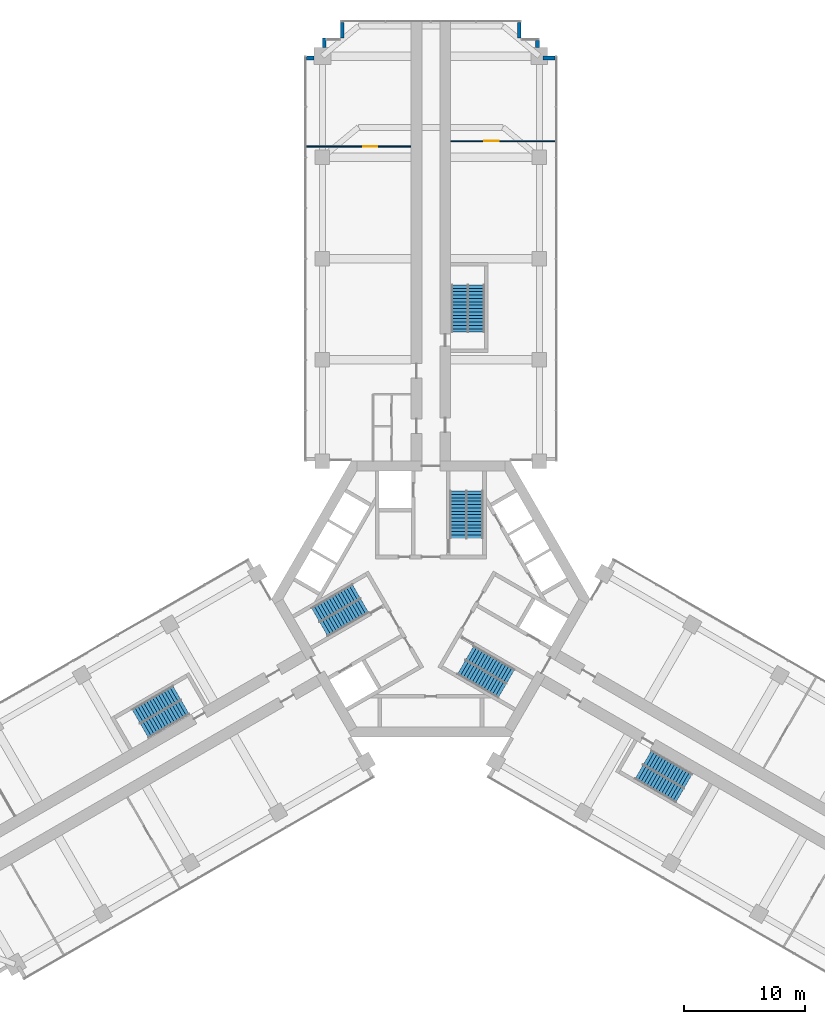
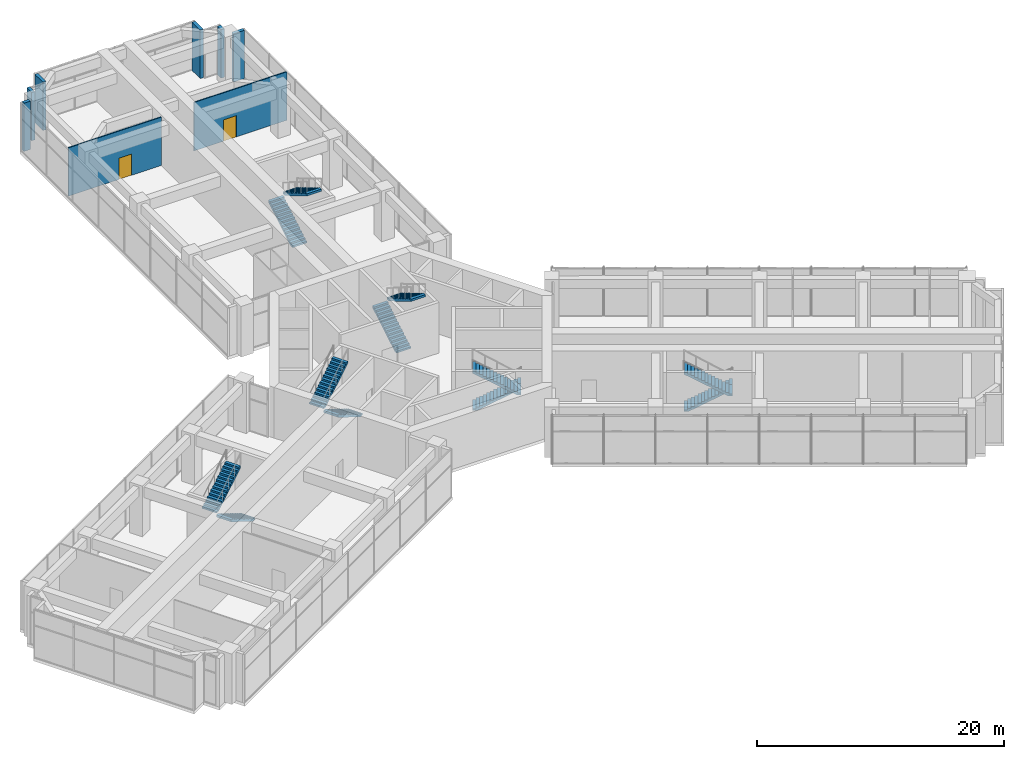
# One storey, part 19 of 20: 12 stair flights, 8 walls, 2 doors, 2 openings, 6 elements without a shape of their own.
"""IFC4 building model written with IfcOpenShell, lengths in metres."""

from ifc_helpers import new_model, si_unit, direction, frame, frame_2d, origin, place, context, subcontext, project, spatial, polyline, rectangle, outline, extrude, material, layer, layer_set, type_object, element, fill, aggregate, save


model = new_model("IFC4")

# Units and contexts
model_context = context("Model", 3, precision=1e-05, world=origin(), true_north=direction((0.0, 1.0)))
body_context = subcontext(model_context, "Body", "Model", "MODEL_VIEW")
ifc_project = project(units=[si_unit("LENGTHUNIT", "METRE"), si_unit("AREAUNIT", "SQUARE_METRE"), si_unit("VOLUMEUNIT", "CUBIC_METRE"), si_unit("PLANEANGLEUNIT", "RADIAN"), si_unit("MASSUNIT", "GRAM", prefix="KILO")], contexts=[model_context])

# Site, building, storey
site_placement = place(None, origin())
site = spatial("IfcSite", under=ifc_project, at=site_placement, CompositionType="ELEMENT")
building_placement = place(site_placement, origin())
building = spatial("IfcBuilding", under=site, at=building_placement, Name="Impinga Residences", CompositionType="ELEMENT")
storey_placement = place(building_placement, frame((0.0, 0.0, 101.0)))
storey = spatial("IfcBuildingStorey", under=building, at=storey_placement, Name="L24", CompositionType="ELEMENT", Elevation=101.0)

# Wall, opening, door
ifc_material_1 = material(Name="Concrete blockwork", Category="masonry")
ifc_layer_1 = layer(ifc_material_1, 0.10009765625)
ifc_layer_set_1 = layer_set([ifc_layer_1], Name="CP1 core room partition, blockwork 100")
wall_type_1 = type_object("IfcWallType", Name="CP1 core room partition, blockwork 100", PredefinedType="PARTITIONING", material=ifc_layer_set_1)
wall_1_placement = place(storey_placement, frame((-1.64990234375, 37.531494140625, 0.0), z_axis=(0.0, 0.0, 1.0), x_axis=(-1.0, 0.0, 0.0)))
wall_1 = element("IfcWall", 1, at=wall_1_placement, inside=storey, type_object=wall_type_1, Name="Core room partition, blockwork L24-NA1:PS1", PredefinedType="PARTITIONING", context=body_context, shape_type="SweptSolid", body=[
    extrude(rectangle(XDim=8.68701171875, YDim=0.10009765625, at=frame_2d((4.343505859375, 0.0))), origin(), (0.0, 0.0, 1.0), 4.780029296875),
])
opening_1_placement = place(wall_1_placement, frame((2.77490234375, 0.0, 0.0)))
opening_1 = element("IfcOpeningElement", 2, at=opening_1_placement, cuts=wall_1, Name="Opening D3", PredefinedType="OPENING", context=body_context, shape_type="SweptSolid", body=[
    extrude(rectangle(XDim=1.199951171875, YDim=2.10009765625, at=frame_2d((0.60009765625, 1.050048828125))), frame((0.0, 0.06005859375, 0.0), z_axis=(0.0, -1.0, 0.0), x_axis=(1.0, 0.0, 0.0)), (0.0, 0.0, 1.0), 0.1201171875),
])
ifc_material_2 = material(Name="Timber door set", Category="wood")
door_type = type_object("IfcDoorType", Name="D3 room door, leaf and a half 1200x2100", OperationType="DOUBLE_SWING_LEFT", PredefinedType="DOOR", material=ifc_material_2)
door_1_placement = place(opening_1_placement, origin())
door_1 = element("IfcDoor", 3, at=door_1_placement, inside=storey, type_object=door_type, Name="Lounge store door L24-NA1", OperationType="DOUBLE_SWING_LEFT", OverallHeight=2.10009765625, OverallWidth=1.199951171875, PredefinedType="DOOR", context=body_context, shape_type="SweptSolid", body=[
    extrude(rectangle(XDim=1.199951171875, YDim=2.10009765625, at=frame_2d((0.60009765625, 1.050048828125))), frame((0.0, 0.02490234375, 0.0), z_axis=(0.0, -1.0, 0.0), x_axis=(1.0, 0.0, 0.0)), (0.0, 0.0, 1.0), 0.050048828125),
])
fill(opening_1, door_1)

wall_2_placement = place(storey_placement, frame((1.64990234375, 37.9814453125, 0.0), z_axis=(0.0, 0.0, 1.0), x_axis=(1.0, 0.0, 0.0)))
wall_2 = element("IfcWall", 4, at=wall_2_placement, inside=storey, type_object=wall_type_1, Name="Core room partition, blockwork L24-NF1:PS1", PredefinedType="PARTITIONING", context=body_context, shape_type="SweptSolid", body=[
    extrude(rectangle(XDim=8.68701171875, YDim=0.10009765625, at=frame_2d((4.343505859375, 0.0))), origin(), (0.0, 0.0, 1.0), 4.780029296875),
])
opening_2_placement = place(wall_2_placement, frame((2.77490234375, 0.0, 0.0)))
opening_2 = element("IfcOpeningElement", 5, at=opening_2_placement, cuts=wall_2, Name="Opening D3", PredefinedType="OPENING", context=body_context, shape_type="SweptSolid", body=[
    extrude(rectangle(XDim=1.199951171875, YDim=2.10009765625, at=frame_2d((0.60009765625, 1.050048828125))), frame((0.0, 0.06005859375, 0.0), z_axis=(0.0, -1.0, 0.0), x_axis=(1.0, 0.0, 0.0)), (0.0, 0.0, 1.0), 0.1201171875),
])
door_2_placement = place(opening_2_placement, origin())
door_2 = element("IfcDoor", 6, at=door_2_placement, inside=storey, type_object=door_type, Name="Reading room door L24-NF1", OperationType="DOUBLE_SWING_LEFT", OverallHeight=2.10009765625, OverallWidth=1.199951171875, PredefinedType="DOOR", context=body_context, shape_type="SweptSolid", body=[
    extrude(rectangle(XDim=1.199951171875, YDim=2.10009765625, at=frame_2d((0.60009765625, 1.050048828125))), frame((0.0, 0.02490234375, 0.0), z_axis=(0.0, -1.0, 0.0), x_axis=(1.0, 0.0, 0.0)), (0.0, 0.0, 1.0), 0.050048828125),
])
fill(opening_2, door_2)

# Walls
ifc_material_3 = material(Name="Stone facing on blockwork", Category="masonry")
ifc_layer_2 = layer(ifc_material_3, 0.300048828125)
ifc_layer_set_2 = layer_set([ifc_layer_2], Name="EW2 external wall, stone facing on blockwork 300")
wall_type_2 = type_object("IfcWallType", Name="EW2 external wall, stone facing on blockwork 300", PredefinedType="SOLIDWALL", material=ifc_layer_set_2)
wall_3_placement = place(storey_placement, frame((-10.304931640625, 44.881591796875, 0.0), z_axis=(0.0, 0.0, 1.0), x_axis=(1.0, 0.0, 0.0)))
element("IfcWall", 7, at=wall_3_placement, inside=storey, type_object=wall_type_2, Name="External wall EW2 L24", PredefinedType="SOLIDWALL", context=body_context, shape_type="SweptSolid", body=[
    extrude(rectangle(XDim=0.60205078125, YDim=0.300048828125, at=frame_2d((0.301025390625, 0.0))), origin(), (0.0, 0.0, 1.0), 4.780029296875),
])
wall_4_placement = place(storey_placement, frame((-8.85009765625, 45.734619140625, 0.0), z_axis=(0.0, 0.0, 1.0), x_axis=(0.0, 1.0, 0.0)))
element("IfcWall", 8, at=wall_4_placement, inside=storey, type_object=wall_type_2, Name="External wall EW2 L24", PredefinedType="SOLIDWALL", context=body_context, shape_type="SweptSolid", body=[
    extrude(rectangle(XDim=0.796875, YDim=0.300048828125, at=frame_2d((0.3984375, 0.0))), origin(), (0.0, 0.0, 1.0), 4.780029296875),
])
for number, where, z_axis, x_axis, name in (
    (9, (-7.35009765625, 46.526611328125, 0.0), (0.0, 0.0, 1.0), (0.0, 1.0, 0.0), "External wall EW2 L24"),
    (10, (7.35009765625, 47.83642578125, 0.0), (0.0, 0.0, 1.0), (0.0, -1.0, 0.0), "External wall EW2 L24"),
):
    element("IfcWall", number, at=place(storey_placement, frame(where, z_axis=z_axis, x_axis=x_axis)), inside=storey, type_object=wall_type_2, Name=name, PredefinedType="SOLIDWALL", context=body_context, shape_type="SweptSolid", body=[
        extrude(rectangle(XDim=1.309814453125, YDim=0.300048828125, at=frame_2d((0.65478515625, 0.0))), origin(), (0.0, 0.0, 1.0), 4.780029296875),
    ])
wall_5_placement = place(storey_placement, frame((8.85009765625, 46.33642578125, 0.0), z_axis=(0.0, 0.0, 1.0), x_axis=(0.0, -1.0, 0.0)))
element("IfcWall", 11, at=wall_5_placement, inside=storey, type_object=wall_type_2, Name="External wall EW2 L24", PredefinedType="SOLIDWALL", context=body_context, shape_type="SweptSolid", body=[
    extrude(rectangle(XDim=0.601806640625, YDim=0.300048828125, at=frame_2d((0.30078125, 0.0))), origin(), (0.0, 0.0, 1.0), 4.780029296875),
])
wall_6_placement = place(storey_placement, frame((9.300048828125, 44.881591796875, 0.0), z_axis=(0.0, 0.0, 1.0), x_axis=(1.0, 0.0, 0.0)))
element("IfcWall", 12, at=wall_6_placement, inside=storey, type_object=wall_type_2, Name="External wall EW2 L24", PredefinedType="SOLIDWALL", context=body_context, shape_type="SweptSolid", body=[
    extrude(rectangle(XDim=1.0048828125, YDim=0.300048828125, at=frame_2d((0.50244140625, 0.0))), origin(), (0.0, 0.0, 1.0), 4.780029296875),
])

# Stair, stair flights
ifc_material_4 = material(Name="Concrete C40/50", Category="concrete")
stair_type_1 = type_object("IfcStairType", Name="STR core stair 5000 storey, 30 risers", PredefinedType="HALF_TURN_STAIR", material=ifc_material_4)
stair_1_placement = place(storey_placement, origin())
stair_1 = element("IfcStair", 13, at=stair_1_placement, inside=storey, type_object=stair_type_1, Name="Stair ST1 L24", PredefinedType="HALF_TURN_STAIR")
stair_flight_type = type_object("IfcStairFlightType", Name="SF 15 risers of 167", PredefinedType="STRAIGHT", material=ifc_material_4)
stair_flight_1_placement = place(storey_placement, frame((2.27490234375, 5.030029296875, 0.0), z_axis=(0.0, 0.0, 1.0), x_axis=(0.0, 1.0, 0.0)))
stair_flight_1 = element("IfcStairFlight", 14, at=stair_flight_1_placement, type_object=stair_flight_type, Name="ST1 flight 1", NumberOfRisers=15, NumberOfTreads=14, PredefinedType="STRAIGHT", RiserHeight=0.166666667, TreadLength=0.28, context=body_context, shape_type="SweptSolid", body=[
    extrude(outline(polyline([(0.0, 0.0), (0.0, 0.166748046875), (0.280029296875, 0.166748046875), (0.280029296875, 0.333251953125), (0.56005859375, 0.333251953125), (0.56005859375, 0.5), (0.840087890625, 0.5), (0.840087890625, 0.666748046875), (1.1201171875, 0.666748046875), (1.1201171875, 0.833251953125), (1.39990234375, 0.833251953125), (1.39990234375, 1.0), (1.679931640625, 1.0), (1.679931640625, 1.166748046875), (1.9599609375, 1.166748046875), (1.9599609375, 1.333251953125), (2.239990234375, 1.333251953125), (2.239990234375, 1.5), (2.52001953125, 1.5), (2.52001953125, 1.666748046875), (2.800048828125, 1.666748046875), (2.800048828125, 1.833251953125), (3.080078125, 1.833251953125), (3.080078125, 2.0), (3.360107421875, 2.0), (3.360107421875, 2.166748046875), (3.639892578125, 2.166748046875), (3.639892578125, 2.333251953125), (3.919921875, 2.333251953125), (3.919921875, 2.5), (3.919921875, 2.1240234375), (0.351806640625, 0.0), (0.0, 0.0)])), frame((0.0, 0.675048828125, 0.0), z_axis=(0.0, -1.0, 0.0), x_axis=(1.0, 0.0, 0.0)), (0.0, 0.0, 1.0), 1.35009765625),
])
stair_flight_2_placement = place(storey_placement, frame((3.625, 8.949951171875, 2.5), z_axis=(0.0, 0.0, 1.0), x_axis=(0.0, -1.0, 0.0)))
stair_flight_2 = element("IfcStairFlight", 15, at=stair_flight_2_placement, type_object=stair_flight_type, Name="ST1 flight 2", NumberOfRisers=15, NumberOfTreads=14, PredefinedType="STRAIGHT", RiserHeight=0.166666667, TreadLength=0.28, context=body_context, shape_type="SweptSolid", body=[
    extrude(outline(polyline([(0.0, 0.0), (0.0, 0.166748046875), (0.280029296875, 0.166748046875), (0.280029296875, 0.333251953125), (0.56005859375, 0.333251953125), (0.56005859375, 0.5), (0.840087890625, 0.5), (0.840087890625, 0.666748046875), (1.1201171875, 0.666748046875), (1.1201171875, 0.833251953125), (1.39990234375, 0.833251953125), (1.39990234375, 1.0), (1.679931640625, 1.0), (1.679931640625, 1.166748046875), (1.9599609375, 1.166748046875), (1.9599609375, 1.333251953125), (2.239990234375, 1.333251953125), (2.239990234375, 1.5), (2.52001953125, 1.5), (2.52001953125, 1.666748046875), (2.800048828125, 1.666748046875), (2.800048828125, 1.833251953125), (3.080078125, 1.833251953125), (3.080078125, 2.0), (3.360107421875, 2.0), (3.360107421875, 2.166748046875), (3.639892578125, 2.166748046875), (3.639892578125, 2.333251953125), (3.919921875, 2.333251953125), (3.919921875, 2.5), (3.919921875, 2.1240234375), (0.351806640625, 0.0), (0.0, 0.0)])), frame((0.0, 0.675048828125, 0.0), z_axis=(0.0, -1.0, 0.0), x_axis=(1.0, 0.0, 0.0)), (0.0, 0.0, 1.0), 1.35009765625),
])
aggregate(stair_1, [stair_flight_1, stair_flight_2])

stair_2_placement = place(storey_placement, origin())
stair_2 = element("IfcStair", 16, at=stair_2_placement, inside=storey, type_object=stair_type_1, Name="Stair ST2 L24", PredefinedType="HALF_TURN_STAIR")
stair_flight_3_placement = place(storey_placement, frame((-5.49365234375, -0.544677734375, 0.0), z_axis=(0.0, 0.0, 1.0), x_axis=(-0.866025403784, -0.5, 0.0)))
stair_flight_3 = element("IfcStairFlight", 17, at=stair_flight_3_placement, type_object=stair_flight_type, Name="ST2 flight 1", NumberOfRisers=15, NumberOfTreads=14, PredefinedType="STRAIGHT", RiserHeight=0.166666667, TreadLength=0.28, context=body_context, shape_type="SweptSolid", body=[
    extrude(outline(polyline([(0.0, 0.0), (0.0, 0.166748046875), (0.280029296875, 0.166748046875), (0.280029296875, 0.333251953125), (0.56005859375, 0.333251953125), (0.56005859375, 0.5), (0.840087890625, 0.5), (0.840087890625, 0.666748046875), (1.1201171875, 0.666748046875), (1.1201171875, 0.833251953125), (1.39990234375, 0.833251953125), (1.39990234375, 1.0), (1.679931640625, 1.0), (1.679931640625, 1.166748046875), (1.9599609375, 1.166748046875), (1.9599609375, 1.333251953125), (2.239990234375, 1.333251953125), (2.239990234375, 1.5), (2.52001953125, 1.5), (2.52001953125, 1.666748046875), (2.800048828125, 1.666748046875), (2.800048828125, 1.833251953125), (3.080078125, 1.833251953125), (3.080078125, 2.0), (3.360107421875, 2.0), (3.360107421875, 2.166748046875), (3.639892578125, 2.166748046875), (3.639892578125, 2.333251953125), (3.919921875, 2.333251953125), (3.919921875, 2.5), (3.919921875, 2.1240234375), (0.351806640625, 0.0), (0.0, 0.0)])), frame((0.0, 0.675048828125, 0.0), z_axis=(0.0, -1.0, 0.0), x_axis=(1.0, 0.0, 0.0)), (0.0, 0.0, 1.0), 1.35009765625),
])
stair_flight_4_placement = place(storey_placement, frame((-9.5634765625, -1.335693359375, 2.5), z_axis=(0.0, 0.0, 1.0), x_axis=(0.866025403784, 0.5, 0.0)))
stair_flight_4 = element("IfcStairFlight", 18, at=stair_flight_4_placement, type_object=stair_flight_type, Name="ST2 flight 2", NumberOfRisers=15, NumberOfTreads=14, PredefinedType="STRAIGHT", RiserHeight=0.166666667, TreadLength=0.28, context=body_context, shape_type="SweptSolid", body=[
    extrude(outline(polyline([(0.0, 0.0), (0.0, 0.166748046875), (0.280029296875, 0.166748046875), (0.280029296875, 0.333251953125), (0.56005859375, 0.333251953125), (0.56005859375, 0.5), (0.840087890625, 0.5), (0.840087890625, 0.666748046875), (1.1201171875, 0.666748046875), (1.1201171875, 0.833251953125), (1.39990234375, 0.833251953125), (1.39990234375, 1.0), (1.679931640625, 1.0), (1.679931640625, 1.166748046875), (1.9599609375, 1.166748046875), (1.9599609375, 1.333251953125), (2.239990234375, 1.333251953125), (2.239990234375, 1.5), (2.52001953125, 1.5), (2.52001953125, 1.666748046875), (2.800048828125, 1.666748046875), (2.800048828125, 1.833251953125), (3.080078125, 1.833251953125), (3.080078125, 2.0), (3.360107421875, 2.0), (3.360107421875, 2.166748046875), (3.639892578125, 2.166748046875), (3.639892578125, 2.333251953125), (3.919921875, 2.333251953125), (3.919921875, 2.5), (3.919921875, 2.1240234375), (0.351806640625, 0.0), (0.0, 0.0)])), frame((0.0, 0.675048828125, 0.0), z_axis=(0.0, -1.0, 0.0), x_axis=(1.0, 0.0, 0.0)), (0.0, 0.0, 1.0), 1.35009765625),
])
aggregate(stair_2, [stair_flight_3, stair_flight_4])

stair_3_placement = place(storey_placement, origin())
stair_3 = element("IfcStair", 19, at=stair_3_placement, inside=storey, type_object=stair_type_1, Name="Stair ST3 L24", PredefinedType="HALF_TURN_STAIR")
stair_flight_5_placement = place(storey_placement, frame((3.218505859375, -4.485107421875, 0.0), z_axis=(0.0, 0.0, 1.0), x_axis=(0.866025403784, -0.5, 0.0)))
stair_flight_5 = element("IfcStairFlight", 20, at=stair_flight_5_placement, type_object=stair_flight_type, Name="ST3 flight 1", NumberOfRisers=15, NumberOfTreads=14, PredefinedType="STRAIGHT", RiserHeight=0.166666667, TreadLength=0.28, context=body_context, shape_type="SweptSolid", body=[
    extrude(outline(polyline([(0.0, 0.0), (0.0, 0.166748046875), (0.280029296875, 0.166748046875), (0.280029296875, 0.333251953125), (0.56005859375, 0.333251953125), (0.56005859375, 0.5), (0.840087890625, 0.5), (0.840087890625, 0.666748046875), (1.1201171875, 0.666748046875), (1.1201171875, 0.833251953125), (1.39990234375, 0.833251953125), (1.39990234375, 1.0), (1.679931640625, 1.0), (1.679931640625, 1.166748046875), (1.9599609375, 1.166748046875), (1.9599609375, 1.333251953125), (2.239990234375, 1.333251953125), (2.239990234375, 1.5), (2.52001953125, 1.5), (2.52001953125, 1.666748046875), (2.800048828125, 1.666748046875), (2.800048828125, 1.833251953125), (3.080078125, 1.833251953125), (3.080078125, 2.0), (3.360107421875, 2.0), (3.360107421875, 2.166748046875), (3.639892578125, 2.166748046875), (3.639892578125, 2.333251953125), (3.919921875, 2.333251953125), (3.919921875, 2.5), (3.919921875, 2.1240234375), (0.351806640625, 0.0), (0.0, 0.0)])), frame((0.0, 0.675048828125, 0.0), z_axis=(0.0, -1.0, 0.0), x_axis=(1.0, 0.0, 0.0)), (0.0, 0.0, 1.0), 1.35009765625),
])
stair_flight_6_placement = place(storey_placement, frame((5.9384765625, -7.6142578125, 2.5), z_axis=(0.0, 0.0, 1.0), x_axis=(-0.866025403784, 0.5, 0.0)))
stair_flight_6 = element("IfcStairFlight", 21, at=stair_flight_6_placement, type_object=stair_flight_type, Name="ST3 flight 2", NumberOfRisers=15, NumberOfTreads=14, PredefinedType="STRAIGHT", RiserHeight=0.166666667, TreadLength=0.28, context=body_context, shape_type="SweptSolid", body=[
    extrude(outline(polyline([(0.0, 0.0), (0.0, 0.166748046875), (0.280029296875, 0.166748046875), (0.280029296875, 0.333251953125), (0.56005859375, 0.333251953125), (0.56005859375, 0.5), (0.840087890625, 0.5), (0.840087890625, 0.666748046875), (1.1201171875, 0.666748046875), (1.1201171875, 0.833251953125), (1.39990234375, 0.833251953125), (1.39990234375, 1.0), (1.679931640625, 1.0), (1.679931640625, 1.166748046875), (1.9599609375, 1.166748046875), (1.9599609375, 1.333251953125), (2.239990234375, 1.333251953125), (2.239990234375, 1.5), (2.52001953125, 1.5), (2.52001953125, 1.666748046875), (2.800048828125, 1.666748046875), (2.800048828125, 1.833251953125), (3.080078125, 1.833251953125), (3.080078125, 2.0), (3.360107421875, 2.0), (3.360107421875, 2.166748046875), (3.639892578125, 2.166748046875), (3.639892578125, 2.333251953125), (3.919921875, 2.333251953125), (3.919921875, 2.5), (3.919921875, 2.1240234375), (0.351806640625, 0.0), (0.0, 0.0)])), frame((0.0, 0.675048828125, 0.0), z_axis=(0.0, -1.0, 0.0), x_axis=(1.0, 0.0, 0.0)), (0.0, 0.0, 1.0), 1.35009765625),
])
aggregate(stair_3, [stair_flight_5, stair_flight_6])

stair_type_2 = type_object("IfcStairType", Name="STR wing stair 5000 storey, 30 risers", PredefinedType="HALF_TURN_STAIR", material=ifc_material_4)
stair_4_placement = place(storey_placement, origin())
stair_4 = element("IfcStair", 22, at=stair_4_placement, inside=storey, type_object=stair_type_2, Name="Stair WS1 L24", PredefinedType="HALF_TURN_STAIR")
stair_flight_7_placement = place(storey_placement, frame((2.425048828125, 22.131591796875, 0.0), z_axis=(0.0, 0.0, 1.0), x_axis=(0.0, 1.0, 0.0)))
stair_flight_7 = element("IfcStairFlight", 23, at=stair_flight_7_placement, type_object=stair_flight_type, Name="WS1 flight 1", NumberOfRisers=15, NumberOfTreads=14, PredefinedType="STRAIGHT", RiserHeight=0.166666667, TreadLength=0.28, context=body_context, shape_type="SweptSolid", body=[
    extrude(outline(polyline([(0.0, 0.0), (0.0, 0.166748046875), (0.280029296875, 0.166748046875), (0.280029296875, 0.333251953125), (0.56005859375, 0.333251953125), (0.56005859375, 0.5), (0.840087890625, 0.5), (0.840087890625, 0.666748046875), (1.1201171875, 0.666748046875), (1.1201171875, 0.833251953125), (1.39990234375, 0.833251953125), (1.39990234375, 1.0), (1.679931640625, 1.0), (1.679931640625, 1.166748046875), (1.9599609375, 1.166748046875), (1.9599609375, 1.333251953125), (2.239990234375, 1.333251953125), (2.239990234375, 1.5), (2.52001953125, 1.5), (2.52001953125, 1.666748046875), (2.800048828125, 1.666748046875), (2.800048828125, 1.833251953125), (3.080078125, 1.833251953125), (3.080078125, 2.0), (3.360107421875, 2.0), (3.360107421875, 2.166748046875), (3.639892578125, 2.166748046875), (3.639892578125, 2.333251953125), (3.919921875, 2.333251953125), (3.919921875, 2.5), (3.919921875, 2.1240234375), (0.351806640625, 0.0), (0.0, 0.0)])), frame((0.0, 0.675048828125, 0.0), z_axis=(0.0, -1.0, 0.0), x_axis=(1.0, 0.0, 0.0)), (0.0, 0.0, 1.0), 1.35009765625),
])
stair_flight_8_placement = place(storey_placement, frame((3.77490234375, 26.051513671875, 2.5), z_axis=(0.0, 0.0, 1.0), x_axis=(0.0, -1.0, 0.0)))
stair_flight_8 = element("IfcStairFlight", 24, at=stair_flight_8_placement, type_object=stair_flight_type, Name="WS1 flight 2", NumberOfRisers=15, NumberOfTreads=14, PredefinedType="STRAIGHT", RiserHeight=0.166666667, TreadLength=0.28, context=body_context, shape_type="SweptSolid", body=[
    extrude(outline(polyline([(0.0, 0.0), (0.0, 0.166748046875), (0.280029296875, 0.166748046875), (0.280029296875, 0.333251953125), (0.56005859375, 0.333251953125), (0.56005859375, 0.5), (0.840087890625, 0.5), (0.840087890625, 0.666748046875), (1.1201171875, 0.666748046875), (1.1201171875, 0.833251953125), (1.39990234375, 0.833251953125), (1.39990234375, 1.0), (1.679931640625, 1.0), (1.679931640625, 1.166748046875), (1.9599609375, 1.166748046875), (1.9599609375, 1.333251953125), (2.239990234375, 1.333251953125), (2.239990234375, 1.5), (2.52001953125, 1.5), (2.52001953125, 1.666748046875), (2.800048828125, 1.666748046875), (2.800048828125, 1.833251953125), (3.080078125, 1.833251953125), (3.080078125, 2.0), (3.360107421875, 2.0), (3.360107421875, 2.166748046875), (3.639892578125, 2.166748046875), (3.639892578125, 2.333251953125), (3.919921875, 2.333251953125), (3.919921875, 2.5), (3.919921875, 2.1240234375), (0.351806640625, 0.0), (0.0, 0.0)])), frame((0.0, 0.675048828125, 0.0), z_axis=(0.0, -1.0, 0.0), x_axis=(1.0, 0.0, 0.0)), (0.0, 0.0, 1.0), 1.35009765625),
])
aggregate(stair_4, [stair_flight_7, stair_flight_8])

stair_5_placement = place(storey_placement, origin())
stair_5 = element("IfcStair", 25, at=stair_5_placement, inside=storey, type_object=stair_type_2, Name="Stair WS2 L24", PredefinedType="HALF_TURN_STAIR")
stair_flight_9_placement = place(storey_placement, frame((-20.37890625, -8.965576171875, 0.0), z_axis=(0.0, 0.0, 1.0), x_axis=(-0.866025403784, -0.5, 0.0)))
stair_flight_9 = element("IfcStairFlight", 26, at=stair_flight_9_placement, type_object=stair_flight_type, Name="WS2 flight 1", NumberOfRisers=15, NumberOfTreads=14, PredefinedType="STRAIGHT", RiserHeight=0.166666667, TreadLength=0.28, context=body_context, shape_type="SweptSolid", body=[
    extrude(outline(polyline([(0.0, 0.0), (0.0, 0.166748046875), (0.280029296875, 0.166748046875), (0.280029296875, 0.333251953125), (0.56005859375, 0.333251953125), (0.56005859375, 0.5), (0.840087890625, 0.5), (0.840087890625, 0.666748046875), (1.1201171875, 0.666748046875), (1.1201171875, 0.833251953125), (1.39990234375, 0.833251953125), (1.39990234375, 1.0), (1.679931640625, 1.0), (1.679931640625, 1.166748046875), (1.9599609375, 1.166748046875), (1.9599609375, 1.333251953125), (2.239990234375, 1.333251953125), (2.239990234375, 1.5), (2.52001953125, 1.5), (2.52001953125, 1.666748046875), (2.800048828125, 1.666748046875), (2.800048828125, 1.833251953125), (3.080078125, 1.833251953125), (3.080078125, 2.0), (3.360107421875, 2.0), (3.360107421875, 2.166748046875), (3.639892578125, 2.166748046875), (3.639892578125, 2.333251953125), (3.919921875, 2.333251953125), (3.919921875, 2.5), (3.919921875, 2.1240234375), (0.351806640625, 0.0), (0.0, 0.0)])), frame((0.0, 0.675048828125, 0.0), z_axis=(0.0, -1.0, 0.0), x_axis=(1.0, 0.0, 0.0)), (0.0, 0.0, 1.0), 1.35009765625),
])
stair_flight_10_placement = place(storey_placement, frame((-24.44873046875, -9.756591796875, 2.5), z_axis=(0.0, 0.0, 1.0), x_axis=(0.866025403784, 0.5, 0.0)))
stair_flight_10 = element("IfcStairFlight", 27, at=stair_flight_10_placement, type_object=stair_flight_type, Name="WS2 flight 2", NumberOfRisers=15, NumberOfTreads=14, PredefinedType="STRAIGHT", RiserHeight=0.166666667, TreadLength=0.28, context=body_context, shape_type="SweptSolid", body=[
    extrude(outline(polyline([(0.0, 0.0), (0.0, 0.166748046875), (0.280029296875, 0.166748046875), (0.280029296875, 0.333251953125), (0.56005859375, 0.333251953125), (0.56005859375, 0.5), (0.840087890625, 0.5), (0.840087890625, 0.666748046875), (1.1201171875, 0.666748046875), (1.1201171875, 0.833251953125), (1.39990234375, 0.833251953125), (1.39990234375, 1.0), (1.679931640625, 1.0), (1.679931640625, 1.166748046875), (1.9599609375, 1.166748046875), (1.9599609375, 1.333251953125), (2.239990234375, 1.333251953125), (2.239990234375, 1.5), (2.52001953125, 1.5), (2.52001953125, 1.666748046875), (2.800048828125, 1.666748046875), (2.800048828125, 1.833251953125), (3.080078125, 1.833251953125), (3.080078125, 2.0), (3.360107421875, 2.0), (3.360107421875, 2.166748046875), (3.639892578125, 2.166748046875), (3.639892578125, 2.333251953125), (3.919921875, 2.333251953125), (3.919921875, 2.5), (3.919921875, 2.1240234375), (0.351806640625, 0.0), (0.0, 0.0)])), frame((0.0, 0.675048828125, 0.0), z_axis=(0.0, -1.0, 0.0), x_axis=(1.0, 0.0, 0.0)), (0.0, 0.0, 1.0), 1.35009765625),
])
aggregate(stair_5, [stair_flight_9, stair_flight_10])

stair_6_placement = place(storey_placement, origin())
stair_6 = element("IfcStair", 28, at=stair_6_placement, inside=storey, type_object=stair_type_2, Name="Stair WS3 L24", PredefinedType="HALF_TURN_STAIR")
stair_flight_11_placement = place(storey_placement, frame((17.953857421875, -13.165771484375, 0.0), z_axis=(0.0, 0.0, 1.0), x_axis=(0.866025403784, -0.5, 0.0)))
stair_flight_11 = element("IfcStairFlight", 29, at=stair_flight_11_placement, type_object=stair_flight_type, Name="WS3 flight 1", NumberOfRisers=15, NumberOfTreads=14, PredefinedType="STRAIGHT", RiserHeight=0.166666667, TreadLength=0.28, context=body_context, shape_type="SweptSolid", body=[
    extrude(outline(polyline([(0.0, 0.0), (0.0, 0.166748046875), (0.280029296875, 0.166748046875), (0.280029296875, 0.333251953125), (0.56005859375, 0.333251953125), (0.56005859375, 0.5), (0.840087890625, 0.5), (0.840087890625, 0.666748046875), (1.1201171875, 0.666748046875), (1.1201171875, 0.833251953125), (1.39990234375, 0.833251953125), (1.39990234375, 1.0), (1.679931640625, 1.0), (1.679931640625, 1.166748046875), (1.9599609375, 1.166748046875), (1.9599609375, 1.333251953125), (2.239990234375, 1.333251953125), (2.239990234375, 1.5), (2.52001953125, 1.5), (2.52001953125, 1.666748046875), (2.800048828125, 1.666748046875), (2.800048828125, 1.833251953125), (3.080078125, 1.833251953125), (3.080078125, 2.0), (3.360107421875, 2.0), (3.360107421875, 2.166748046875), (3.639892578125, 2.166748046875), (3.639892578125, 2.333251953125), (3.919921875, 2.333251953125), (3.919921875, 2.5), (3.919921875, 2.1240234375), (0.351806640625, 0.0), (0.0, 0.0)])), frame((0.0, 0.675048828125, 0.0), z_axis=(0.0, -1.0, 0.0), x_axis=(1.0, 0.0, 0.0)), (0.0, 0.0, 1.0), 1.35009765625),
])
stair_flight_12_placement = place(storey_placement, frame((20.673828125, -16.294921875, 2.5), z_axis=(0.0, 0.0, 1.0), x_axis=(-0.866025403784, 0.5, 0.0)))
stair_flight_12 = element("IfcStairFlight", 30, at=stair_flight_12_placement, type_object=stair_flight_type, Name="WS3 flight 2", NumberOfRisers=15, NumberOfTreads=14, PredefinedType="STRAIGHT", RiserHeight=0.166666667, TreadLength=0.28, context=body_context, shape_type="SweptSolid", body=[
    extrude(outline(polyline([(0.0, 0.0), (0.0, 0.166748046875), (0.280029296875, 0.166748046875), (0.280029296875, 0.333251953125), (0.56005859375, 0.333251953125), (0.56005859375, 0.5), (0.840087890625, 0.5), (0.840087890625, 0.666748046875), (1.1201171875, 0.666748046875), (1.1201171875, 0.833251953125), (1.39990234375, 0.833251953125), (1.39990234375, 1.0), (1.679931640625, 1.0), (1.679931640625, 1.166748046875), (1.9599609375, 1.166748046875), (1.9599609375, 1.333251953125), (2.239990234375, 1.333251953125), (2.239990234375, 1.5), (2.52001953125, 1.5), (2.52001953125, 1.666748046875), (2.800048828125, 1.666748046875), (2.800048828125, 1.833251953125), (3.080078125, 1.833251953125), (3.080078125, 2.0), (3.360107421875, 2.0), (3.360107421875, 2.166748046875), (3.639892578125, 2.166748046875), (3.639892578125, 2.333251953125), (3.919921875, 2.333251953125), (3.919921875, 2.5), (3.919921875, 2.1240234375), (0.351806640625, 0.0), (0.0, 0.0)])), frame((0.0, 0.675048828125, 0.0), z_axis=(0.0, -1.0, 0.0), x_axis=(1.0, 0.0, 0.0)), (0.0, 0.0, 1.0), 1.35009765625),
])
aggregate(stair_6, [stair_flight_11, stair_flight_12])

save(model, "model.ifc")
